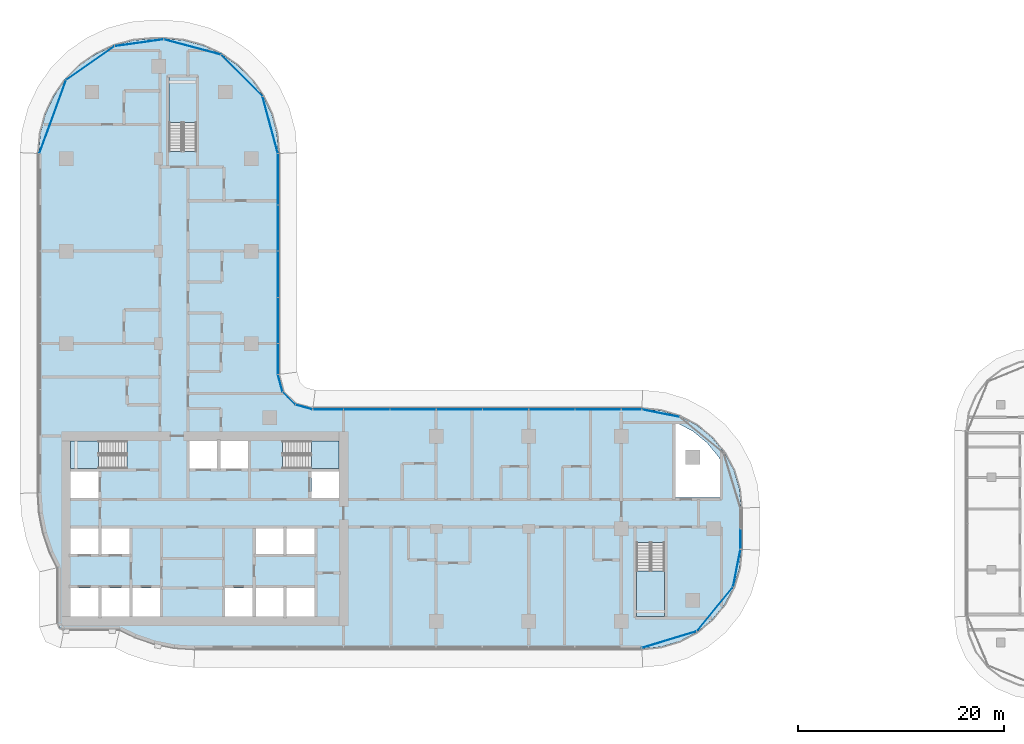
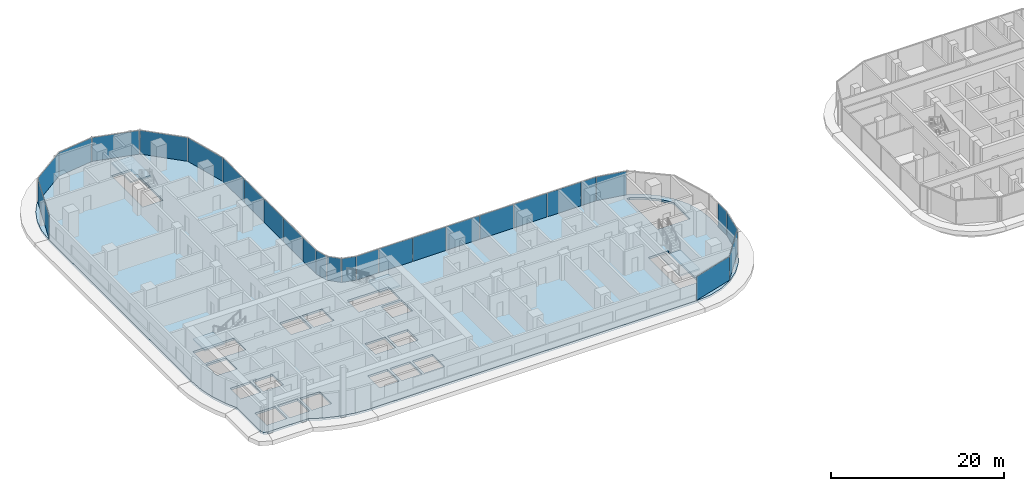
# One storey, part 15 of 36: 27 plates, 5 slabs, 11 elements without a shape of their own.
"""IFC4 building model written with IfcOpenShell, lengths in metres."""

from ifc_helpers import new_model, si_unit, direction, frame, origin, origin_2d, place, context, subcontext, project, spatial, polyline, rectangle, outline, extrude, material, layer, layer_set, type_object, element, aggregate, save


model = new_model("IFC4")

# Units and contexts
model_context = context("Model", 3, precision=1e-05, world=origin(), true_north=direction((0.0, 1.0)))
body_context = subcontext(model_context, "Body", "Model", "MODEL_VIEW")
ifc_project = project(units=[si_unit("LENGTHUNIT", "METRE"), si_unit("AREAUNIT", "SQUARE_METRE"), si_unit("VOLUMEUNIT", "CUBIC_METRE"), si_unit("PLANEANGLEUNIT", "RADIAN"), si_unit("MASSUNIT", "GRAM", prefix="KILO")], contexts=[model_context])

# Site, building, storey
site_placement = place(None, origin())
site = spatial("IfcSite", under=ifc_project, at=site_placement, CompositionType="ELEMENT")
building_placement = place(site_placement, origin())
building = spatial("IfcBuilding", under=site, at=building_placement, Name="Ogive Portal Towers", CompositionType="ELEMENT")
storey_placement = place(building_placement, frame((0.0, 0.0, 63.10009765625)))
storey = spatial("IfcBuildingStorey", under=building, at=storey_placement, Name="L14", CompositionType="ELEMENT", Elevation=63.10009765625)

# Curtain wall, plate
ifc_material_1 = material(Name="Glass, clear low-iron insulated glazing", Category="glass")
curtain_wall_type = type_object("IfcCurtainWallType", Name="CW FRONT RIBBON 4500", PredefinedType="NOTDEFINED", material=ifc_material_1)
curtain_wall_1_placement = place(storey_placement, origin())
curtain_wall_1 = element("IfcCurtainWall", 1, at=curtain_wall_1_placement, inside=storey, type_object=curtain_wall_type, Name="A:L14:f12:cw0", PredefinedType="NOTDEFINED")
ifc_layer_1 = layer(ifc_material_1, 0.028076171875)
ifc_layer_set_1 = layer_set([ifc_layer_1], Name="CW PANEL IGU 28")
plate_type = type_object("IfcPlateType", Name="CW PANEL IGU 28", PredefinedType="CURTAIN_PANEL", material=ifc_layer_set_1)
plate_1_placement = place(storey_placement, frame((97.10009765625, 29.50390625, 0.0), z_axis=(0.0, 0.0, 1.0), x_axis=(0.0, 1.0, 0.0)))
plate_1 = element("IfcPlate", 2, at=plate_1_placement, type_object=plate_type, Name="panel", PredefinedType="CURTAIN_PANEL", context=body_context, shape_type="SweptSolid", body=[
    extrude(rectangle(XDim=1.93212890625, YDim=0.028076171875, at=origin_2d()), origin(), (0.0, 0.0, 1.0), 3.340087890625),
])
aggregate(curtain_wall_1, [plate_1])

# Curtain wall, plates
curtain_wall_2_placement = place(storey_placement, origin())
curtain_wall_2 = element("IfcCurtainWall", 3, at=curtain_wall_2_placement, inside=storey, type_object=curtain_wall_type, Name="A:L14:f16:cw0", PredefinedType="NOTDEFINED")
plate_2_placement = place(storey_placement, frame((86.49609375, 42.10009765625, 0.0), z_axis=(0.0, 0.0, 1.0), x_axis=(-1.0, 0.0, 0.0)))
plate_2 = element("IfcPlate", 4, at=plate_2_placement, type_object=plate_type, Name="panel", PredefinedType="CURTAIN_PANEL", context=body_context, shape_type="SweptSolid", body=[
    extrude(rectangle(XDim=1.93212890625, YDim=0.028076171875, at=origin_2d()), origin(), (0.0, 0.0, 1.0), 3.340087890625),
])
plate_3_placement = place(storey_placement, frame((83.25, 42.10009765625, 0.0), z_axis=(0.0, 0.0, 1.0), x_axis=(-1.0, 0.0, 0.0)))
plate_3 = element("IfcPlate", 5, at=plate_3_placement, type_object=plate_type, Name="panel", PredefinedType="CURTAIN_PANEL", context=body_context, shape_type="SweptSolid", body=[
    extrude(rectangle(XDim=4.43994140625, YDim=0.028076171875, at=origin_2d()), origin(), (0.0, 0.0, 1.0), 3.340087890625),
])
plate_4_placement = place(storey_placement, frame((78.75, 42.10009765625, 0.0), z_axis=(0.0, 0.0, 1.0), x_axis=(-1.0, 0.0, 0.0)))
plate_4 = element("IfcPlate", 6, at=plate_4_placement, type_object=plate_type, Name="panel", PredefinedType="CURTAIN_PANEL", context=body_context, shape_type="SweptSolid", body=[
    extrude(rectangle(XDim=4.43994140625, YDim=0.028076171875, at=origin_2d()), origin(), (0.0, 0.0, 1.0), 3.340087890625),
])
plate_5_placement = place(storey_placement, frame((74.25, 42.10009765625, 0.0), z_axis=(0.0, 0.0, 1.0), x_axis=(-1.0, 0.0, 0.0)))
plate_5 = element("IfcPlate", 7, at=plate_5_placement, type_object=plate_type, Name="panel", PredefinedType="CURTAIN_PANEL", context=body_context, shape_type="SweptSolid", body=[
    extrude(rectangle(XDim=4.43994140625, YDim=0.028076171875, at=origin_2d()), origin(), (0.0, 0.0, 1.0), 3.340087890625),
])
plate_6_placement = place(storey_placement, frame((69.75, 42.10009765625, 0.0), z_axis=(0.0, 0.0, 1.0), x_axis=(-1.0, 0.0, 0.0)))
plate_6 = element("IfcPlate", 8, at=plate_6_placement, type_object=plate_type, Name="panel", PredefinedType="CURTAIN_PANEL", context=body_context, shape_type="SweptSolid", body=[
    extrude(rectangle(XDim=4.43994140625, YDim=0.028076171875, at=origin_2d()), origin(), (0.0, 0.0, 1.0), 3.340087890625),
])
plate_7_placement = place(storey_placement, frame((65.25, 42.10009765625, 0.0), z_axis=(0.0, 0.0, 1.0), x_axis=(-1.0, 0.0, 0.0)))
plate_7 = element("IfcPlate", 9, at=plate_7_placement, type_object=plate_type, Name="panel", PredefinedType="CURTAIN_PANEL", context=body_context, shape_type="SweptSolid", body=[
    extrude(rectangle(XDim=4.43994140625, YDim=0.028076171875, at=origin_2d()), origin(), (0.0, 0.0, 1.0), 3.340087890625),
])
plate_8_placement = place(storey_placement, frame((60.75, 42.10009765625, 0.0), z_axis=(0.0, 0.0, 1.0), x_axis=(-1.0, 0.0, 0.0)))
plate_8 = element("IfcPlate", 10, at=plate_8_placement, type_object=plate_type, Name="panel", PredefinedType="CURTAIN_PANEL", context=body_context, shape_type="SweptSolid", body=[
    extrude(rectangle(XDim=4.43994140625, YDim=0.028076171875, at=origin_2d()), origin(), (0.0, 0.0, 1.0), 3.340087890625),
])
plate_9_placement = place(storey_placement, frame((56.99462890625, 42.10009765625, 0.0), z_axis=(0.0, 0.0, 1.0), x_axis=(-1.0, 0.0, 0.0)))
plate_9 = element("IfcPlate", 11, at=plate_9_placement, type_object=plate_type, Name="panel", PredefinedType="CURTAIN_PANEL", context=body_context, shape_type="SweptSolid", body=[
    extrude(rectangle(XDim=2.950439453125, YDim=0.028076171875, at=origin_2d()), origin(), (0.0, 0.0, 1.0), 3.340087890625),
])
aggregate(curtain_wall_2, [plate_2, plate_3, plate_4, plate_5, plate_6, plate_7, plate_8, plate_9])

curtain_wall_3_placement = place(storey_placement, origin())
curtain_wall_3 = element("IfcCurtainWall", 12, at=curtain_wall_3_placement, inside=storey, type_object=curtain_wall_type, Name="A:L14:f20:cw0", PredefinedType="NOTDEFINED")
plate_10_placement = place(storey_placement, frame((52.10009765625, 46.99462890625, 0.0), z_axis=(0.0, 0.0, 1.0), x_axis=(0.0, 1.0, 0.0)))
plate_10 = element("IfcPlate", 13, at=plate_10_placement, type_object=plate_type, Name="panel", PredefinedType="CURTAIN_PANEL", context=body_context, shape_type="SweptSolid", body=[
    extrude(rectangle(XDim=2.950439453125, YDim=0.028076171875, at=origin_2d()), origin(), (0.0, 0.0, 1.0), 3.340087890625),
])
plate_11_placement = place(storey_placement, frame((52.10009765625, 50.75, 0.0), z_axis=(0.0, 0.0, 1.0), x_axis=(0.0, 1.0, 0.0)))
plate_11 = element("IfcPlate", 14, at=plate_11_placement, type_object=plate_type, Name="panel", PredefinedType="CURTAIN_PANEL", context=body_context, shape_type="SweptSolid", body=[
    extrude(rectangle(XDim=4.43994140625, YDim=0.028076171875, at=origin_2d()), origin(), (0.0, 0.0, 1.0), 3.340087890625),
])
plate_12_placement = place(storey_placement, frame((52.10009765625, 55.25, 0.0), z_axis=(0.0, 0.0, 1.0), x_axis=(0.0, 1.0, 0.0)))
plate_12 = element("IfcPlate", 15, at=plate_12_placement, type_object=plate_type, Name="panel", PredefinedType="CURTAIN_PANEL", context=body_context, shape_type="SweptSolid", body=[
    extrude(rectangle(XDim=4.43994140625, YDim=0.028076171875, at=origin_2d()), origin(), (0.0, 0.0, 1.0), 3.340087890625),
])
plate_13_placement = place(storey_placement, frame((52.10009765625, 59.75, 0.0), z_axis=(0.0, 0.0, 1.0), x_axis=(0.0, 1.0, 0.0)))
plate_13 = element("IfcPlate", 16, at=plate_13_placement, type_object=plate_type, Name="panel", PredefinedType="CURTAIN_PANEL", context=body_context, shape_type="SweptSolid", body=[
    extrude(rectangle(XDim=4.43994140625, YDim=0.028076171875, at=origin_2d()), origin(), (0.0, 0.0, 1.0), 3.340087890625),
])
plate_14_placement = place(storey_placement, frame((52.10009765625, 64.49462890625, 0.0), z_axis=(0.0, 0.0, 1.0), x_axis=(0.0, 1.0, 0.0)))
plate_14 = element("IfcPlate", 17, at=plate_14_placement, type_object=plate_type, Name="panel", PredefinedType="CURTAIN_PANEL", context=body_context, shape_type="SweptSolid", body=[
    extrude(rectangle(XDim=4.929443359375, YDim=0.028076171875, at=origin_2d()), origin(), (0.0, 0.0, 1.0), 3.340087890625),
])
aggregate(curtain_wall_3, [plate_10, plate_11, plate_12, plate_13, plate_14])

curtain_wall_4_placement = place(storey_placement, origin())
curtain_wall_4 = element("IfcCurtainWall", 18, at=curtain_wall_4_placement, inside=storey, type_object=curtain_wall_type, Name="A:L14:f09:cwa", PredefinedType="NOTDEFINED")
plate_15_placement = place(storey_placement, frame((90.159912109375, 19.71044921875, 0.0), z_axis=(0.0, 0.0, 1.0), x_axis=(0.956940335732, 0.290284677254, 0.0)))
plate_15 = element("IfcPlate", 19, at=plate_15_placement, type_object=plate_type, Name="panel", PredefinedType="CURTAIN_PANEL", context=body_context, shape_type="SweptSolid", body=[
    extrude(rectangle(XDim=5.523681640625, YDim=0.028076171875, at=origin_2d()), origin(), (0.0, 0.0, 1.0), 3.340087890625),
])
plate_16_placement = place(storey_placement, frame((94.60009765625, 22.67578125, 0.0), z_axis=(0.0, 0.0, 1.0), x_axis=(0.634393284164, 0.773010453363, 0.0)))
plate_16 = element("IfcPlate", 20, at=plate_16_placement, type_object=plate_type, Name="panel", PredefinedType="CURTAIN_PANEL", context=body_context, shape_type="SweptSolid", body=[
    extrude(rectangle(XDim=5.515625, YDim=0.028076171875, at=origin_2d()), origin(), (0.0, 0.0, 1.0), 3.340087890625),
])
plate_17_placement = place(storey_placement, frame((96.734375, 26.66943359375, 0.0), z_axis=(0.0, 0.0, 1.0), x_axis=(0.195090322016, 0.980785280403, 0.0)))
plate_17 = element("IfcPlate", 21, at=plate_17_placement, type_object=plate_type, Name="panel", PredefinedType="CURTAIN_PANEL", context=body_context, shape_type="SweptSolid", body=[
    extrude(rectangle(XDim=3.68896484375, YDim=0.028076171875, at=origin_2d()), origin(), (0.0, 0.0, 1.0), 3.340087890625),
])
aggregate(curtain_wall_4, [plate_15, plate_16, plate_17])

# Curtain wall, plate
curtain_wall_5_placement = place(storey_placement, origin())
curtain_wall_5 = element("IfcCurtainWall", 22, at=curtain_wall_5_placement, inside=storey, type_object=curtain_wall_type, Name="A:L14:f13:cwa", PredefinedType="NOTDEFINED")
plate_18_placement = place(storey_placement, frame((89.33056640625, 41.734375, 0.0), z_axis=(0.0, 0.0, 1.0), x_axis=(-0.980785280403, 0.195090322016, 0.0)))
plate_18 = element("IfcPlate", 23, at=plate_18_placement, type_object=plate_type, Name="panel", PredefinedType="CURTAIN_PANEL", context=body_context, shape_type="SweptSolid", body=[
    extrude(rectangle(XDim=3.68896484375, YDim=0.028076171875, at=origin_2d()), origin(), (0.0, 0.0, 1.0), 3.340087890625),
])
aggregate(curtain_wall_5, [plate_18])

# Curtain wall, plates
curtain_wall_6_placement = place(storey_placement, origin())
curtain_wall_6 = element("IfcCurtainWall", 24, at=curtain_wall_6_placement, inside=storey, type_object=curtain_wall_type, Name="A:L14:f17:cwa", PredefinedType="NOTDEFINED")
plate_19_placement = place(storey_placement, frame((54.64404296875, 42.326416015625, 0.0), z_axis=(0.0, 0.0, 1.0), x_axis=(-0.965925826289, 0.258819045103, 0.0)))
plate_19 = element("IfcPlate", 25, at=plate_19_placement, type_object=plate_type, Name="panel", PredefinedType="CURTAIN_PANEL", context=body_context, shape_type="SweptSolid", body=[
    extrude(rectangle(XDim=1.6904296875, YDim=0.028076171875, at=origin_2d()), origin(), (0.0, 0.0, 1.0), 3.340087890625),
])
plate_20_placement = place(storey_placement, frame((53.17578125, 43.17578125, 0.0), z_axis=(0.0, 0.0, 1.0), x_axis=(-0.707106781187, 0.707106781187, 0.0)))
plate_20 = element("IfcPlate", 26, at=plate_20_placement, type_object=plate_type, Name="panel", PredefinedType="CURTAIN_PANEL", context=body_context, shape_type="SweptSolid", body=[
    extrude(rectangle(XDim=1.701416015625, YDim=0.028076171875, at=origin_2d()), origin(), (0.0, 0.0, 1.0), 3.340087890625),
])
plate_21_placement = place(storey_placement, frame((52.326416015625, 44.64404296875, 0.0), z_axis=(0.0, 0.0, 1.0), x_axis=(-0.258819045103, 0.965925826289, 0.0)))
plate_21 = element("IfcPlate", 27, at=plate_21_placement, type_object=plate_type, Name="panel", PredefinedType="CURTAIN_PANEL", context=body_context, shape_type="SweptSolid", body=[
    extrude(rectangle(XDim=1.6904296875, YDim=0.028076171875, at=origin_2d()), origin(), (0.0, 0.0, 1.0), 3.340087890625),
])
aggregate(curtain_wall_6, [plate_19, plate_20, plate_21])

curtain_wall_7_placement = place(storey_placement, origin())
curtain_wall_7 = element("IfcCurtainWall", 28, at=curtain_wall_7_placement, inside=storey, type_object=curtain_wall_type, Name="A:L14:f21:cwa", PredefinedType="NOTDEFINED")
plate_22_placement = place(storey_placement, frame((51.355224609375, 69.76904296875, 0.0), z_axis=(0.0, 0.0, 1.0), x_axis=(-0.258819045103, 0.965925826289, 0.0)))
plate_22 = element("IfcPlate", 29, at=plate_22_placement, type_object=plate_type, Name="panel", PredefinedType="CURTAIN_PANEL", context=body_context, shape_type="SweptSolid", body=[
    extrude(rectangle(XDim=5.6953125, YDim=0.028076171875, at=origin_2d()), origin(), (0.0, 0.0, 1.0), 3.340087890625),
])
plate_23_placement = place(storey_placement, frame((48.57958984375, 74.57958984375, 0.0), z_axis=(0.0, 0.0, 1.0), x_axis=(-0.707106781187, 0.707106781187, 0.0)))
plate_23 = element("IfcPlate", 30, at=plate_23_placement, type_object=plate_type, Name="panel", PredefinedType="CURTAIN_PANEL", context=body_context, shape_type="SweptSolid", body=[
    extrude(rectangle(XDim=5.684326171875, YDim=0.028076171875, at=origin_2d()), origin(), (0.0, 0.0, 1.0), 3.340087890625),
])
plate_24_placement = place(storey_placement, frame((43.771728515625, 77.3544921875, 0.0), z_axis=(0.0, 0.0, 1.0), x_axis=(-0.965925826289, 0.258819045103, 0.0)))
plate_24 = element("IfcPlate", 31, at=plate_24_placement, type_object=plate_type, Name="panel", PredefinedType="CURTAIN_PANEL", context=body_context, shape_type="SweptSolid", body=[
    extrude(rectangle(XDim=5.689453125, YDim=0.028076171875, at=origin_2d()), origin(), (0.0, 0.0, 1.0), 3.340087890625),
])
plate_25_placement = place(storey_placement, frame((38.6005859375, 77.763916015625, 0.0), z_axis=(0.0, 0.0, 1.0), x_axis=(-0.990372546931, -0.13842766445, 0.0)))
plate_25 = element("IfcPlate", 32, at=plate_25_placement, type_object=plate_type, Name="panel", PredefinedType="CURTAIN_PANEL", context=body_context, shape_type="SweptSolid", body=[
    extrude(rectangle(XDim=4.775146484375, YDim=0.028076171875, at=origin_2d()), origin(), (0.0, 0.0, 1.0), 3.340087890625),
])
plate_26_placement = place(storey_placement, frame((33.854248046875, 75.7822265625, 0.0), z_axis=(0.0, 0.0, 1.0), x_axis=(-0.819152044289, -0.573576436351, 0.0)))
plate_26 = element("IfcPlate", 33, at=plate_26_placement, type_object=plate_type, Name="panel", PredefinedType="CURTAIN_PANEL", context=body_context, shape_type="SweptSolid", body=[
    extrude(rectangle(XDim=5.6826171875, YDim=0.028076171875, at=origin_2d()), origin(), (0.0, 0.0, 1.0), 3.340087890625),
])
plate_27_placement = place(storey_placement, frame((30.201171875, 70.560546875, 0.0), z_axis=(0.0, 0.0, 1.0), x_axis=(-0.342020143326, -0.939692620786, 0.0)))
plate_27 = element("IfcPlate", 34, at=plate_27_placement, type_object=plate_type, Name="panel", PredefinedType="CURTAIN_PANEL", context=body_context, shape_type="SweptSolid", body=[
    extrude(rectangle(XDim=7.54833984375, YDim=0.028076171875, at=origin_2d()), origin(), (0.0, 0.0, 1.0), 3.340087890625),
])
aggregate(curtain_wall_7, [plate_22, plate_23, plate_24, plate_25, plate_26, plate_27])

# Stair, slab
ifc_material_2 = material(Name="Concrete C40/50", Category="concrete")
stair_type = type_object("IfcStairType", Name="INT-STAIR", PredefinedType="HALF_TURN_STAIR", material=ifc_material_2)
stair_1_placement = place(storey_placement, origin())
stair_1 = element("IfcStair", 35, at=stair_1_placement, inside=storey, type_object=stair_type, Name="L14 Exit Stair ST-A1", PredefinedType="HALF_TURN_STAIR")
ifc_layer_2 = layer(ifc_material_2, 0.199951171875)
ifc_layer_set_2 = layer_set([ifc_layer_2], Name="INT-LANDING")
slab_type_1 = type_object("IfcSlabType", Name="INT-LANDING", PredefinedType="LANDING", material=ifc_layer_set_2)
slab_1_placement = place(storey_placement, frame((0.0, 0.0, 1.64990234375)))
slab_1 = element("IfcSlab", 36, at=slab_1_placement, type_object=slab_type_1, Name="ST-A1 landing 1", PredefinedType="LANDING", context=body_context, shape_type="SweptSolid", body=[
    extrude(outline(polyline([(34.64990234375, 39.050048828125), (31.949951171875, 39.050048828125), (31.949951171875, 36.35009765625), (34.64990234375, 36.35009765625), (34.64990234375, 39.050048828125)])), origin(), (0.0, 0.0, 1.0), 0.199951171875),
])
aggregate(stair_1, [slab_1])

stair_2_placement = place(storey_placement, origin())
stair_2 = element("IfcStair", 37, at=stair_2_placement, inside=storey, type_object=stair_type, Name="L14 Exit Stair ST-A2", PredefinedType="HALF_TURN_STAIR")
slab_2_placement = place(storey_placement, frame((0.0, 0.0, 1.64990234375)))
slab_2 = element("IfcSlab", 38, at=slab_2_placement, type_object=slab_type_1, Name="ST-A2 landing 1", PredefinedType="LANDING", context=body_context, shape_type="SweptSolid", body=[
    extrude(outline(polyline([(55.35009765625, 36.35009765625), (58.050048828125, 36.35009765625), (58.050048828125, 39.050048828125), (55.35009765625, 39.050048828125), (55.35009765625, 36.35009765625)])), origin(), (0.0, 0.0, 1.0), 0.199951171875),
])
aggregate(stair_2, [slab_2])

stair_3_placement = place(storey_placement, origin())
stair_3 = element("IfcStair", 39, at=stair_3_placement, inside=storey, type_object=stair_type, Name="L14 Exit Stair ST-A3", PredefinedType="HALF_TURN_STAIR")
slab_3_placement = place(storey_placement, frame((0.0, 0.0, 1.64990234375)))
slab_3 = element("IfcSlab", 40, at=slab_3_placement, type_object=slab_type_1, Name="ST-A3 landing 1", PredefinedType="LANDING", context=body_context, shape_type="SweptSolid", body=[
    extrude(outline(polyline([(44.199951171875, 70.0), (44.199951171875, 74.449951171875), (41.5, 74.449951171875), (41.5, 70.0), (44.199951171875, 70.0)])), origin(), (0.0, 0.0, 1.0), 0.199951171875),
])
aggregate(stair_3, [slab_3])

stair_4_placement = place(storey_placement, origin())
stair_4 = element("IfcStair", 41, at=stair_4_placement, inside=storey, type_object=stair_type, Name="L14 Exit Stair ST-A4", PredefinedType="HALF_TURN_STAIR")
slab_4_placement = place(storey_placement, frame((0.0, 0.0, 1.64990234375)))
slab_4 = element("IfcSlab", 42, at=slab_4_placement, type_object=slab_type_1, Name="ST-A4 landing 1", PredefinedType="LANDING", context=body_context, shape_type="SweptSolid", body=[
    extrude(outline(polyline([(87.0, 26.3701171875), (87.0, 21.949951171875), (89.699951171875, 21.949951171875), (89.699951171875, 26.3701171875), (87.0, 26.3701171875)])), origin(), (0.0, 0.0, 1.0), 0.199951171875),
])
aggregate(stair_4, [slab_4])

# Slab
ifc_material_3 = material(Name="Concrete C45/55", Category="concrete")
ifc_layer_3 = layer(ifc_material_3, 0.300048828125)
ifc_layer_set_3 = layer_set([ifc_layer_3], Name="PT FLAT PLATE 300")
slab_type_2 = type_object("IfcSlabType", Name="PT FLAT PLATE 300", PredefinedType="FLOOR", material=ifc_layer_set_3)
slab_5_placement = place(storey_placement, frame((0.0, 0.0, -0.300048828125)))
element("IfcSlab", 43, at=slab_5_placement, inside=storey, type_object=slab_type_2, Name="Floor slab L14", PredefinedType="FLOOR", context=body_context, shape_type="SweptSolid", body=[
    extrude(outline(polyline([(29.337158203125, 30.071044921875), (29.9755859375, 28.19091796875), (30.699951171875, 26.7216796875), (30.699951171875, 21.300048828125), (30.875732421875, 20.875732421875), (31.300048828125, 20.699951171875), (36.7216796875, 20.699951171875), (38.19091796875, 19.9755859375), (40.071044921875, 19.337158203125), (42.0185546875, 18.949951171875), (44.0, 18.820068359375), (87.5, 18.820068359375), (89.388427734375, 19.006103515625), (91.204345703125, 19.556884765625), (92.8779296875, 20.451416015625), (94.3447265625, 21.6552734375), (95.548583984375, 23.1220703125), (96.443115234375, 24.795654296875), (96.993896484375, 26.611572265625), (97.179931640625, 28.5), (97.179931640625, 32.5), (96.993896484375, 34.388427734375), (96.443115234375, 36.204345703125), (95.548583984375, 37.8779296875), (94.3447265625, 39.3447265625), (92.8779296875, 40.548583984375), (91.204345703125, 41.443115234375), (89.388427734375, 41.993896484375), (87.5, 42.179931640625), (55.5, 42.179931640625), (53.840087890625, 42.624755859375), (52.624755859375, 43.840087890625), (52.179931640625, 45.5), (52.179931640625, 67.0), (52.01025390625, 68.94140625), (51.505859375, 70.82373046875), (50.68212890625, 72.590087890625), (49.564453125, 74.186279296875), (48.186279296875, 75.564453125), (46.590087890625, 76.68212890625), (44.82373046875, 77.505859375), (42.94140625, 78.01025390625), (41.0, 78.179931640625), (40.0, 78.179931640625), (38.05859375, 78.01025390625), (36.17626953125, 77.505859375), (34.409912109375, 76.68212890625), (32.813720703125, 75.564453125), (31.435546875, 74.186279296875), (30.31787109375, 72.590087890625), (29.494140625, 70.82373046875), (28.98974609375, 68.94140625), (28.820068359375, 67.0), (28.820068359375, 34.0), (28.949951171875, 32.0185546875), (29.337158203125, 30.071044921875)]), holes=[polyline([(34.64990234375, 24.75), (34.64990234375, 21.949951171875), (31.949951171875, 21.949951171875), (31.949951171875, 24.75), (34.64990234375, 24.75)]), polyline([(37.64990234375, 24.75), (37.64990234375, 21.949951171875), (34.949951171875, 21.949951171875), (34.949951171875, 24.75), (37.64990234375, 24.75)]), polyline([(40.6298828125, 21.969970703125), (37.969970703125, 21.969970703125), (37.969970703125, 24.72998046875), (40.6298828125, 24.72998046875), (40.6298828125, 21.969970703125)]), polyline([(46.969970703125, 21.969970703125), (46.969970703125, 24.72998046875), (49.6298828125, 24.72998046875), (49.6298828125, 21.969970703125), (46.969970703125, 21.969970703125)]), polyline([(34.64990234375, 28.050048828125), (31.949951171875, 28.050048828125), (31.949951171875, 30.5), (34.64990234375, 30.5), (34.64990234375, 28.050048828125)]), polyline([(37.64990234375, 30.5), (37.64990234375, 28.050048828125), (34.949951171875, 28.050048828125), (34.949951171875, 30.5), (37.64990234375, 30.5)]), polyline([(34.64990234375, 36.050048828125), (34.64990234375, 33.5), (31.949951171875, 33.5), (31.949951171875, 36.050048828125), (34.64990234375, 36.050048828125)]), polyline([(31.951904296875, 39.048095703125), (37.447998046875, 39.048095703125), (37.447998046875, 36.35205078125), (31.951904296875, 36.35205078125), (31.951904296875, 39.048095703125)]), polyline([(46.199951171875, 36.35009765625), (43.5, 36.35009765625), (43.5, 39.050048828125), (46.199951171875, 39.050048828125), (46.199951171875, 36.35009765625)]), polyline([(49.199951171875, 36.35009765625), (46.5, 36.35009765625), (46.5, 39.050048828125), (49.199951171875, 39.050048828125), (49.199951171875, 36.35009765625)]), polyline([(44.197998046875, 74.447998046875), (44.197998046875, 67.201904296875), (41.501953125, 67.201904296875), (41.501953125, 74.447998046875), (44.197998046875, 74.447998046875)]), polyline([(52.64990234375, 24.75), (52.64990234375, 21.949951171875), (49.949951171875, 21.949951171875), (49.949951171875, 24.75), (52.64990234375, 24.75)]), polyline([(55.64990234375, 21.949951171875), (52.949951171875, 21.949951171875), (52.949951171875, 24.75), (55.64990234375, 24.75), (55.64990234375, 21.949951171875)]), polyline([(87.001953125, 29.16796875), (89.697998046875, 29.16796875), (89.697998046875, 21.951904296875), (87.001953125, 21.951904296875), (87.001953125, 29.16796875)]), polyline([(52.64990234375, 30.5), (52.64990234375, 28.050048828125), (49.949951171875, 28.050048828125), (49.949951171875, 30.5), (52.64990234375, 30.5)]), polyline([(55.64990234375, 28.050048828125), (52.949951171875, 28.050048828125), (52.949951171875, 30.5), (55.64990234375, 30.5), (55.64990234375, 28.050048828125)]), polyline([(58.050048828125, 36.050048828125), (58.050048828125, 33.5), (55.35009765625, 33.5), (55.35009765625, 36.050048828125), (58.050048828125, 36.050048828125)]), polyline([(94.9638671875, 37.487060546875), (95.080078125, 37.269775390625), (95.080078125, 33.52001953125), (90.77001953125, 33.52001953125), (90.77001953125, 40.679931640625), (91.147216796875, 40.679931640625), (92.487060546875, 39.9638671875), (93.847412109375, 38.847412109375), (94.9638671875, 37.487060546875)]), polyline([(52.552001953125, 36.35205078125), (52.552001953125, 39.048095703125), (58.048095703125, 39.048095703125), (58.048095703125, 36.35205078125), (52.552001953125, 36.35205078125)])]), origin(), (0.0, 0.0, 1.0), 0.300048828125),
])

save(model, "model.ifc")
